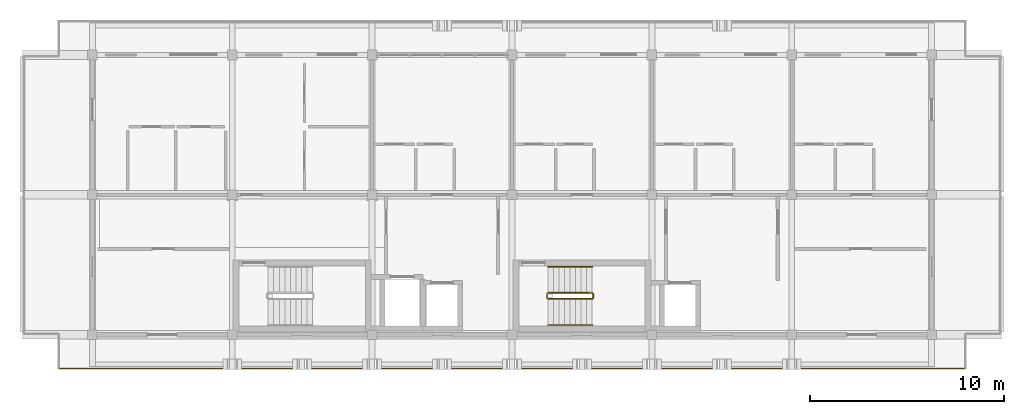
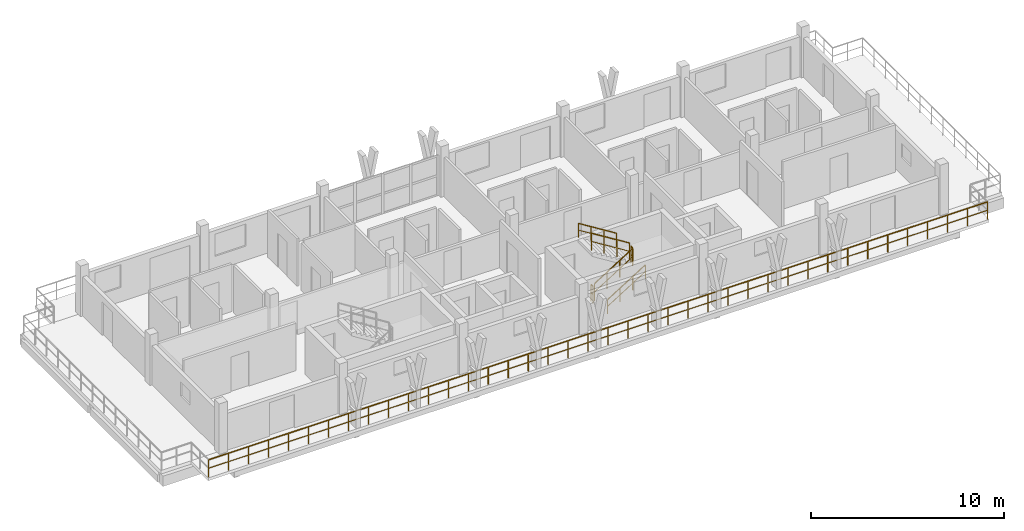
# One storey, part 8 of 9: 7 railings.
"""IFC4 building model written with IfcOpenShell, lengths in metres."""

import ifcopenshell
import ifcopenshell.guid

model = None  # the IFC model being written
_history = None  # IfcOwnerHistory: only IFC2X3 demands one
_inside = {}  # id of a spatial element -> (the spatial element, [elements in it])
_under = {}  # id of a project, library or spatial element -> (it, [spatial elements below it])
_declared = {}  # id of a project -> (the project, [libraries it declares])
_typed = {}  # id of a type object -> (the type object, [elements of that type])
_made_of = {}  # id of a material, layer set ... -> (it, [elements and type objects made of it])


def new_model(schema):
    """Start an empty IFC model of exactly this schema.

    Asked for "IFC4X3", IfcOpenShell would pick the latest addendum, in which some entities
    have other attributes; the version numbers below select the first issue.
    IFC2X3 requires an IfcOwnerHistory on every rooted entity: one is made here for all.
    """
    global model, _history
    if schema == "IFC4X3":
        model = ifcopenshell.file(schema_version=(4, 3, 0, 0))
    else:
        model = ifcopenshell.file(schema=schema)
    _inside.clear()
    _under.clear()
    _declared.clear()
    _typed.clear()
    _made_of.clear()
    _history = None
    if model.schema == "IFC2X3":
        org = make("IfcOrganization", Name="unknown")
        user = make(
            "IfcPersonAndOrganization",
            ThePerson=make("IfcPerson", FamilyName="unknown"),
            TheOrganization=org,
        )
        app = make(
            "IfcApplication",
            ApplicationDeveloper=org,
            Version="unknown",
            ApplicationFullName="unknown",
            ApplicationIdentifier="unknown",
        )
        _history = make(
            "IfcOwnerHistory",
            OwningUser=user,
            OwningApplication=app,
            ChangeAction="ADDED",
            CreationDate=0,
        )
    return model


def make(cls, **values):
    """One entity of the class cls with the attributes given. An attribute that is None is left unset."""
    return model.create_entity(
        cls, **{name: value for name, value in values.items() if value is not None}
    )


def rooted(cls, **values):
    """An entity with a GlobalId (a new one), such as an element, a storey or a relation."""
    return make(cls, GlobalId=ifcopenshell.guid.new(), OwnerHistory=_history, **values)


def si_unit(unit_type, name, prefix=None):
    """IfcSIUnit, for example si_unit("LENGTHUNIT", "METRE", prefix="MILLI")."""
    return make("IfcSIUnit", UnitType=unit_type, Prefix=prefix, Name=name)


def assignment(units):
    """IfcUnitAssignment: the units of a project."""
    return None if units is None else make("IfcUnitAssignment", Units=units)


def point(xyz):
    """IfcCartesianPoint."""
    return None if xyz is None else make("IfcCartesianPoint", Coordinates=xyz)


def direction(xyz):
    """IfcDirection."""
    return None if xyz is None else make("IfcDirection", DirectionRatios=xyz)


def frame(location, z_axis=None, x_axis=None):
    """IfcAxis2Placement3D, a coordinate frame: its origin and axes. An axis left out is left unset."""
    return make(
        "IfcAxis2Placement3D",
        Location=point(location),
        Axis=direction(z_axis),
        RefDirection=direction(x_axis),
    )


def frame_2d(location, x_axis=None):
    """IfcAxis2Placement2D, a coordinate frame in the plane: its origin and x axis."""
    return make(
        "IfcAxis2Placement2D", Location=point(location), RefDirection=direction(x_axis)
    )


def origin():
    """The frame at (0, 0, 0) with its axes left unset."""
    return frame((0.0, 0.0, 0.0))


def origin_2d():
    """The frame at (0, 0) in the plane with its x axis left unset."""
    return frame_2d((0.0, 0.0))


def place(relative_to, where):
    """IfcLocalPlacement: puts the frame where relative to a parent placement (None: the world)."""
    return make(
        "IfcLocalPlacement", PlacementRelTo=relative_to, RelativePlacement=where
    )


def context(
    kind, dimensions, precision=None, world=None, true_north=None, identifier=None
):
    """IfcGeometricRepresentationContext, for example the 3D "Model" context."""
    return make(
        "IfcGeometricRepresentationContext",
        ContextIdentifier=identifier,
        ContextType=kind,
        CoordinateSpaceDimension=dimensions,
        Precision=precision,
        WorldCoordinateSystem=world,
        TrueNorth=true_north,
    )


def subcontext(parent, identifier, kind, view, scale=None):
    """IfcGeometricRepresentationSubContext, for example "Body" below "Model"."""
    return make(
        "IfcGeometricRepresentationSubContext",
        ContextIdentifier=identifier,
        ContextType=kind,
        ParentContext=parent,
        TargetScale=scale,
        TargetView=view,
    )


def project(units=None, contexts=None):
    """IfcProject with its units and contexts."""
    return rooted(
        "IfcProject",
        Name="project",
        RepresentationContexts=contexts,
        UnitsInContext=assignment(units),
    )


def spatial(cls, under=None, at=None, **own):
    """A site, building, storey or space (cls), placed at a placement, below another one or the project."""
    s = rooted(cls, ObjectPlacement=at, **own)
    if under is not None:
        _under.setdefault(under.id(), (under, []))[1].append(s)
    return s


def profile(cls, at=None, kind="AREA", **sizes):
    """A parametric profile (cls). Its sizes go by their IFC names, for example OverallWidth=200.0."""
    return make(cls, ProfileType=kind, Position=at, **sizes)


def rectangle(**sizes):
    """IfcRectangleProfileDef."""
    return profile("IfcRectangleProfileDef", **sizes)


def extrude(swept, where, along, depth):
    """IfcExtrudedAreaSolid: the profile swept, set in the frame where, extruded along a direction by depth."""
    return make(
        "IfcExtrudedAreaSolid",
        SweptArea=swept,
        Position=where,
        ExtrudedDirection=direction(along),
        Depth=depth,
    )


def shape(context_of_items, identifier, shape_type, items):
    """IfcShapeRepresentation: the items that make up one representation, for example the "Body"."""
    return make(
        "IfcShapeRepresentation",
        ContextOfItems=context_of_items,
        RepresentationIdentifier=identifier,
        RepresentationType=shape_type,
        Items=items,
    )


def material(Name=None, Category=None):
    """IfcMaterial."""
    return make("IfcMaterial", Name=Name, Category=Category)


def made_of(thing, what):
    """Note that an element or type object is made of a material, layer set ...; save() writes the relation."""
    if what is not None:
        _made_of.setdefault(what.id(), (what, []))[1].append(thing)
    return thing


def type_object(cls, material=None, **own):
    """A type object (cls), such as IfcWallType, which elements share."""
    return made_of(rooted(cls, **own), material)


def element(
    cls,
    number,
    at=None,
    inside=None,
    cuts=None,
    type_object=None,
    material=None,
    context=None,
    identifier="Body",
    shape_type=None,
    held_by="IfcProductDefinitionShape",
    body=None,
    shapes=None,
    **own,
):
    """One element of the class cls, such as IfcWall. Its Tag is "e" and its number.

    at: its placement. inside: the storey or other place that contains it. cuts: it is an
    opening in that element (IfcRelVoidsElement). A single representation is given by context,
    identifier, shape_type and body (its items); several are given by shapes. held_by: the class
    of the entity that holds the representations. save() writes the other relations.
    """
    e = rooted(cls, Tag="e%d" % number, ObjectPlacement=at, **own)
    if body is not None:
        shapes = [shape(context, identifier, shape_type, body)]
    if shapes is not None:
        e.Representation = make(held_by, Representations=shapes)
    if inside is not None:
        _inside.setdefault(inside.id(), (inside, []))[1].append(e)
    if cuts is not None:
        rooted(
            "IfcRelVoidsElement", RelatingBuildingElement=cuts, RelatedOpeningElement=e
        )
    if type_object is not None:
        _typed.setdefault(type_object.id(), (type_object, []))[1].append(e)
    return made_of(e, material)


def aggregate(whole, parts):
    """IfcRelAggregates: a whole, such as a stair, and the parts it consists of."""
    return rooted("IfcRelAggregates", RelatingObject=whole, RelatedObjects=parts)


def save(model, path):
    """Write the relations noted so far, then the file.

    IfcRelAggregates (storeys below a building ...), IfcRelContainedInSpatialStructure (elements
    in a storey), IfcRelDefinesByType, IfcRelAssociatesMaterial and IfcRelDeclares: one each for
    every whole, place, type object, material and project.
    """
    for whole, parts in _under.values():
        aggregate(whole, parts)
    for where, things in _inside.values():
        rooted(
            "IfcRelContainedInSpatialStructure",
            RelatedElements=things,
            RelatingStructure=where,
        )
    for kind, things in _typed.values():
        rooted("IfcRelDefinesByType", RelatedObjects=things, RelatingType=kind)
    for what, things in _made_of.values():
        rooted("IfcRelAssociatesMaterial", RelatedObjects=things, RelatingMaterial=what)
    for by, libraries in _declared.values():
        rooted("IfcRelDeclares", RelatingContext=by, RelatedDefinitions=libraries)
    model.write(path)


model = new_model("IFC4")

# Units and contexts
model_context = context("Model", 3, precision=1e-05, world=origin(), true_north=direction((0.0, 1.0)))
body_context = subcontext(model_context, "Body", "Model", "MODEL_VIEW")
ifc_project = project(units=[si_unit("LENGTHUNIT", "METRE"), si_unit("AREAUNIT", "SQUARE_METRE"), si_unit("VOLUMEUNIT", "CUBIC_METRE"), si_unit("PLANEANGLEUNIT", "RADIAN"), si_unit("MASSUNIT", "GRAM", prefix="KILO")], contexts=[model_context])

# Site, building, storey
site_placement = place(None, origin())
site = spatial("IfcSite", under=ifc_project, at=site_placement, CompositionType="ELEMENT")
building_placement = place(site_placement, origin())
building = spatial("IfcBuilding", under=site, at=building_placement, Name="Suanplinth Sawtooth Commons", CompositionType="ELEMENT")
storey_placement = place(building_placement, frame((0.0, 0.0, 47.699951171875)))
storey = spatial("IfcBuildingStorey", under=building, at=storey_placement, Name="L14", CompositionType="ELEMENT", Elevation=47.699951171875)

# Railings
ifc_material_1 = material(Name="Powder-coated galvanized steel", Category="steel")
railing_type_1 = type_object("IfcRailingType", Name="GR-01", PredefinedType="BALUSTRADE", material=ifc_material_1)
railing_1_placement = place(storey_placement, frame((80.93994140625, 106.260009765625, 0.0)))
element("IfcRailing", 1, at=railing_1_placement, inside=storey, type_object=railing_type_1, Name="L14 Block A Perimeter Balustrade 11", PredefinedType="BALUSTRADE", context=body_context, shape_type="SweptSolid", body=[
    extrude(rectangle(XDim=0.048095703125, YDim=0.048095703125, at=origin_2d()), frame((0.0, 0.0, 1.09619140625), z_axis=(-1.0, 0.0, 0.0), x_axis=(0.0, -1.0, 0.0)), (0.0, 0.0, 1.0), 46.679931640625),
    extrude(rectangle(XDim=0.03369140625, YDim=0.03369140625, at=origin_2d()), frame((0.0, 0.0, 0.56005859375), z_axis=(-1.0, 0.0, 0.0), x_axis=(0.0, -1.0, 0.0)), (0.0, 0.0, 1.0), 46.679931640625),
    extrude(rectangle(XDim=0.0419921875, YDim=0.0419921875, at=origin_2d()), origin(), (0.0, 0.0, 1.0), 1.072021484375),
    extrude(rectangle(XDim=0.0419921875, YDim=0.0419921875, at=origin_2d()), frame((-1.197021484375, 0.0, 0.0)), (0.0, 0.0, 1.0), 1.072021484375),
    extrude(rectangle(XDim=0.0419921875, YDim=0.0419921875, at=origin_2d()), frame((-2.393798828125, 0.0, 0.0)), (0.0, 0.0, 1.0), 1.072021484375),
    extrude(rectangle(XDim=0.0419921875, YDim=0.0419921875, at=origin_2d()), frame((-3.5908203125, 0.0, 0.0)), (0.0, 0.0, 1.0), 1.072021484375),
    extrude(rectangle(XDim=0.0419921875, YDim=0.0419921875, at=origin_2d()), frame((-4.78759765625, 0.0, 0.0)), (0.0, 0.0, 1.0), 1.072021484375),
    extrude(rectangle(XDim=0.0419921875, YDim=0.0419921875, at=origin_2d()), frame((-5.984619140625, 0.0, 0.0)), (0.0, 0.0, 1.0), 1.072021484375),
    extrude(rectangle(XDim=0.0419921875, YDim=0.0419921875, at=origin_2d()), frame((-7.181640625, 0.0, 0.0)), (0.0, 0.0, 1.0), 1.072021484375),
    extrude(rectangle(XDim=0.0419921875, YDim=0.0419921875, at=origin_2d()), frame((-8.37841796875, 0.0, 0.0)), (0.0, 0.0, 1.0), 1.072021484375),
    extrude(rectangle(XDim=0.0419921875, YDim=0.0419921875, at=origin_2d()), frame((-9.575439453125, 0.0, 0.0)), (0.0, 0.0, 1.0), 1.072021484375),
    extrude(rectangle(XDim=0.0419921875, YDim=0.0419921875, at=origin_2d()), frame((-10.772216796875, 0.0, 0.0)), (0.0, 0.0, 1.0), 1.072021484375),
    extrude(rectangle(XDim=0.0419921875, YDim=0.0419921875, at=origin_2d()), frame((-11.96923828125, 0.0, 0.0)), (0.0, 0.0, 1.0), 1.072021484375),
    extrude(rectangle(XDim=0.0419921875, YDim=0.0419921875, at=origin_2d()), frame((-13.166015625, 0.0, 0.0)), (0.0, 0.0, 1.0), 1.072021484375),
    extrude(rectangle(XDim=0.0419921875, YDim=0.0419921875, at=origin_2d()), frame((-14.363037109375, 0.0, 0.0)), (0.0, 0.0, 1.0), 1.072021484375),
    extrude(rectangle(XDim=0.0419921875, YDim=0.0419921875, at=origin_2d()), frame((-15.56005859375, 0.0, 0.0)), (0.0, 0.0, 1.0), 1.072021484375),
    extrude(rectangle(XDim=0.0419921875, YDim=0.0419921875, at=origin_2d()), frame((-16.7568359375, 0.0, 0.0)), (0.0, 0.0, 1.0), 1.072021484375),
    extrude(rectangle(XDim=0.0419921875, YDim=0.0419921875, at=origin_2d()), frame((-17.953857421875, 0.0, 0.0)), (0.0, 0.0, 1.0), 1.072021484375),
    extrude(rectangle(XDim=0.0419921875, YDim=0.0419921875, at=origin_2d()), frame((-19.150634765625, 0.0, 0.0)), (0.0, 0.0, 1.0), 1.072021484375),
    extrude(rectangle(XDim=0.0419921875, YDim=0.0419921875, at=origin_2d()), frame((-20.34765625, 0.0, 0.0)), (0.0, 0.0, 1.0), 1.072021484375),
    extrude(rectangle(XDim=0.0419921875, YDim=0.0419921875, at=origin_2d()), frame((-21.544677734375, 0.0, 0.0)), (0.0, 0.0, 1.0), 1.072021484375),
    extrude(rectangle(XDim=0.0419921875, YDim=0.0419921875, at=origin_2d()), frame((-22.741455078125, 0.0, 0.0)), (0.0, 0.0, 1.0), 1.072021484375),
    extrude(rectangle(XDim=0.0419921875, YDim=0.0419921875, at=origin_2d()), frame((-23.9384765625, 0.0, 0.0)), (0.0, 0.0, 1.0), 1.072021484375),
    extrude(rectangle(XDim=0.0419921875, YDim=0.0419921875, at=origin_2d()), frame((-25.13525390625, 0.0, 0.0)), (0.0, 0.0, 1.0), 1.072021484375),
    extrude(rectangle(XDim=0.0419921875, YDim=0.0419921875, at=origin_2d()), frame((-26.332275390625, 0.0, 0.0)), (0.0, 0.0, 1.0), 1.072021484375),
    extrude(rectangle(XDim=0.0419921875, YDim=0.0419921875, at=origin_2d()), frame((-27.529296875, 0.0, 0.0)), (0.0, 0.0, 1.0), 1.072021484375),
    extrude(rectangle(XDim=0.0419921875, YDim=0.0419921875, at=origin_2d()), frame((-28.72607421875, 0.0, 0.0)), (0.0, 0.0, 1.0), 1.072021484375),
    extrude(rectangle(XDim=0.0419921875, YDim=0.0419921875, at=origin_2d()), frame((-29.923095703125, 0.0, 0.0)), (0.0, 0.0, 1.0), 1.072021484375),
    extrude(rectangle(XDim=0.0419921875, YDim=0.0419921875, at=origin_2d()), frame((-31.119873046875, 0.0, 0.0)), (0.0, 0.0, 1.0), 1.072021484375),
    extrude(rectangle(XDim=0.0419921875, YDim=0.0419921875, at=origin_2d()), frame((-32.31689453125, 0.0, 0.0)), (0.0, 0.0, 1.0), 1.072021484375),
    extrude(rectangle(XDim=0.0419921875, YDim=0.0419921875, at=origin_2d()), frame((-33.513916015625, 0.0, 0.0)), (0.0, 0.0, 1.0), 1.072021484375),
    extrude(rectangle(XDim=0.0419921875, YDim=0.0419921875, at=origin_2d()), frame((-34.710693359375, 0.0, 0.0)), (0.0, 0.0, 1.0), 1.072021484375),
    extrude(rectangle(XDim=0.0419921875, YDim=0.0419921875, at=origin_2d()), frame((-35.90771484375, 0.0, 0.0)), (0.0, 0.0, 1.0), 1.072021484375),
    extrude(rectangle(XDim=0.0419921875, YDim=0.0419921875, at=origin_2d()), frame((-37.1044921875, 0.0, 0.0)), (0.0, 0.0, 1.0), 1.072021484375),
    extrude(rectangle(XDim=0.0419921875, YDim=0.0419921875, at=origin_2d()), frame((-38.301513671875, 0.0, 0.0)), (0.0, 0.0, 1.0), 1.072021484375),
    extrude(rectangle(XDim=0.0419921875, YDim=0.0419921875, at=origin_2d()), frame((-39.498291015625, 0.0, 0.0)), (0.0, 0.0, 1.0), 1.072021484375),
    extrude(rectangle(XDim=0.0419921875, YDim=0.0419921875, at=origin_2d()), frame((-40.6953125, 0.0, 0.0)), (0.0, 0.0, 1.0), 1.072021484375),
    extrude(rectangle(XDim=0.0419921875, YDim=0.0419921875, at=origin_2d()), frame((-41.892333984375, 0.0, 0.0)), (0.0, 0.0, 1.0), 1.072021484375),
    extrude(rectangle(XDim=0.0419921875, YDim=0.0419921875, at=origin_2d()), frame((-43.089111328125, 0.0, 0.0)), (0.0, 0.0, 1.0), 1.072021484375),
    extrude(rectangle(XDim=0.0419921875, YDim=0.0419921875, at=origin_2d()), frame((-44.2861328125, 0.0, 0.0)), (0.0, 0.0, 1.0), 1.072021484375),
    extrude(rectangle(XDim=0.0419921875, YDim=0.0419921875, at=origin_2d()), frame((-45.48291015625, 0.0, 0.0)), (0.0, 0.0, 1.0), 1.072021484375),
    extrude(rectangle(XDim=0.0419921875, YDim=0.0419921875, at=origin_2d()), frame((-46.679931640625, 0.0, 0.0)), (0.0, 0.0, 1.0), 1.072021484375),
])
ifc_material_2 = material(Name="Stainless steel Grade 304", Category="steel")
railing_type_2 = type_object("IfcRailingType", Name="GR-04", PredefinedType="GUARDRAIL", material=ifc_material_2)
railing_2_placement = place(storey_placement, frame((59.449951171875, 109.85009765625, 0.177734375)))
element("IfcRailing", 2, at=railing_2_placement, inside=storey, type_object=railing_type_2, Name="L14 ST-N2 Guard 1", PredefinedType="GUARDRAIL", context=body_context, shape_type="SweptSolid", body=[
    extrude(rectangle(XDim=0.048095703125, YDim=0.048095703125, at=origin_2d()), frame((0.0, 0.0, 1.076171875), z_axis=(0.848442045328, 0.0, 0.529288291689), x_axis=(0.0, 1.0, 0.0)), (0.0, 0.0, 1.0), 2.687255859375),
    extrude(rectangle(XDim=0.03369140625, YDim=0.03369140625, at=origin_2d()), frame((0.0, 0.0, 0.550048828125), z_axis=(0.848442045328, 0.0, 0.529288291689), x_axis=(0.0, 1.0, 0.0)), (0.0, 0.0, 1.0), 2.687255859375),
    extrude(rectangle(XDim=0.0419921875, YDim=0.0419921875, at=origin_2d()), origin(), (0.0, 0.0, 1.0), 1.052001953125),
    extrude(rectangle(XDim=0.0419921875, YDim=0.0419921875, at=origin_2d()), frame((0.760009765625, 0.0, 0.47412109375)), (0.0, 0.0, 1.0), 1.052001953125),
    extrude(rectangle(XDim=0.0419921875, YDim=0.0419921875, at=origin_2d()), frame((1.52001953125, 0.0, 0.9482421875)), (0.0, 0.0, 1.0), 1.052001953125),
    extrude(rectangle(XDim=0.0419921875, YDim=0.0419921875, at=origin_2d()), frame((2.280029296875, 0.0, 1.42236328125)), (0.0, 0.0, 1.0), 1.052001953125),
])
railing_3_placement = place(storey_placement, frame((61.780029296875, 109.89990234375, 1.60009765625)))
element("IfcRailing", 3, at=railing_3_placement, inside=storey, type_object=railing_type_2, Name="L14 ST-N2 Guard 2", PredefinedType="GUARDRAIL", context=body_context, shape_type="SweptSolid", body=[
    extrude(rectangle(XDim=0.048095703125, YDim=0.048095703125, at=origin_2d()), frame((0.0, 0.0, 1.076171875), z_axis=(0.0, 1.0, 0.0), x_axis=(-1.0, 0.0, 0.0)), (0.0, 0.0, 1.0), 0.2001953125),
    extrude(rectangle(XDim=0.03369140625, YDim=0.03369140625, at=origin_2d()), frame((0.0, 0.0, 0.550048828125), z_axis=(0.0, 1.0, 0.0), x_axis=(-1.0, 0.0, 0.0)), (0.0, 0.0, 1.0), 0.2001953125),
    extrude(rectangle(XDim=0.0419921875, YDim=0.0419921875, at=origin_2d()), origin(), (0.0, 0.0, 1.0), 1.052001953125),
    extrude(rectangle(XDim=0.0419921875, YDim=0.0419921875, at=origin_2d()), frame((0.0, 0.2001953125, 0.0)), (0.0, 0.0, 1.0), 1.052001953125),
])
railing_4_placement = place(storey_placement, frame((61.72998046875, 110.14990234375, 1.77783203125)))
element("IfcRailing", 4, at=railing_4_placement, inside=storey, type_object=railing_type_2, Name="L14 ST-N2 Guard 3", PredefinedType="GUARDRAIL", context=body_context, shape_type="SweptSolid", body=[
    extrude(rectangle(XDim=0.048095703125, YDim=0.048095703125, at=origin_2d()), frame((0.0, 0.0, 1.076171875), z_axis=(-0.848482842525, 0.0, 0.529222888715), x_axis=(0.0, -1.0, 0.0)), (0.0, 0.0, 1.0), 2.687255859375),
    extrude(rectangle(XDim=0.03369140625, YDim=0.03369140625, at=origin_2d()), frame((0.0, 0.0, 0.550048828125), z_axis=(-0.848482842525, 0.0, 0.529222888715), x_axis=(0.0, -1.0, 0.0)), (0.0, 0.0, 1.0), 2.687255859375),
    extrude(rectangle(XDim=0.0419921875, YDim=0.0419921875, at=origin_2d()), origin(), (0.0, 0.0, 1.0), 1.052001953125),
    extrude(rectangle(XDim=0.0419921875, YDim=0.0419921875, at=origin_2d()), frame((-0.760009765625, 0.0, 0.47412109375)), (0.0, 0.0, 1.0), 1.052001953125),
    extrude(rectangle(XDim=0.0419921875, YDim=0.0419921875, at=origin_2d()), frame((-1.52001953125, 0.0, 0.947998046875)), (0.0, 0.0, 1.0), 1.052001953125),
    extrude(rectangle(XDim=0.0419921875, YDim=0.0419921875, at=origin_2d()), frame((-2.280029296875, 0.0, 1.422119140625)), (0.0, 0.0, 1.0), 1.052001953125),
])
railing_5_placement = place(storey_placement, frame((59.39990234375, 109.89990234375, 0.0)))
element("IfcRailing", 5, at=railing_5_placement, inside=storey, type_object=railing_type_2, Name="L14 ST-N2 Guard 4", PredefinedType="GUARDRAIL", context=body_context, shape_type="SweptSolid", body=[
    extrude(rectangle(XDim=0.048095703125, YDim=0.048095703125, at=origin_2d()), frame((0.0, 0.0, 1.076171875), z_axis=(0.0, 1.0, 0.0), x_axis=(-1.0, 0.0, 0.0)), (0.0, 0.0, 1.0), 0.2001953125),
    extrude(rectangle(XDim=0.03369140625, YDim=0.03369140625, at=origin_2d()), frame((0.0, 0.0, 0.550048828125), z_axis=(0.0, 1.0, 0.0), x_axis=(-1.0, 0.0, 0.0)), (0.0, 0.0, 1.0), 0.2001953125),
    extrude(rectangle(XDim=0.0419921875, YDim=0.0419921875, at=origin_2d()), origin(), (0.0, 0.0, 1.0), 1.052001953125),
    extrude(rectangle(XDim=0.0419921875, YDim=0.0419921875, at=origin_2d()), frame((0.0, 0.2001953125, 0.0)), (0.0, 0.0, 1.0), 1.052001953125),
])
railing_type_3 = type_object("IfcRailingType", Name="HR-01", PredefinedType="HANDRAIL", material=ifc_material_2)
railing_6_placement = place(storey_placement, frame((59.449951171875, 108.5, 0.177734375)))
element("IfcRailing", 6, at=railing_6_placement, inside=storey, type_object=railing_type_3, Name="L14 ST-N2 Handrail 1", PredefinedType="HANDRAIL", context=body_context, shape_type="SweptSolid", body=[
    extrude(rectangle(XDim=0.048095703125, YDim=0.048095703125, at=origin_2d()), frame((0.0, 0.0, 0.8759765625), z_axis=(0.848442045328, 0.0, 0.529288291689), x_axis=(0.0, 1.0, 0.0)), (0.0, 0.0, 1.0), 2.687255859375),
    extrude(rectangle(XDim=0.03369140625, YDim=0.03369140625, at=origin_2d()), frame((0.0, 0.0, 0.449951171875), z_axis=(0.848442045328, 0.0, 0.529288291689), x_axis=(0.0, 1.0, 0.0)), (0.0, 0.0, 1.0), 2.687255859375),
    extrude(rectangle(XDim=0.0419921875, YDim=0.0419921875, at=origin_2d()), origin(), (0.0, 0.0, 1.0), 0.851806640625),
    extrude(rectangle(XDim=0.0419921875, YDim=0.0419921875, at=origin_2d()), frame((0.760009765625, 0.0, 0.47412109375)), (0.0, 0.0, 1.0), 0.851806640625),
    extrude(rectangle(XDim=0.0419921875, YDim=0.0419921875, at=origin_2d()), frame((1.52001953125, 0.0, 0.9482421875)), (0.0, 0.0, 1.0), 0.851806640625),
    extrude(rectangle(XDim=0.0419921875, YDim=0.0419921875, at=origin_2d()), frame((2.280029296875, 0.0, 1.42236328125)), (0.0, 0.0, 1.0), 0.851806640625),
])
railing_7_placement = place(storey_placement, frame((61.72998046875, 111.5, 1.77783203125)))
element("IfcRailing", 7, at=railing_7_placement, inside=storey, type_object=railing_type_3, Name="L14 ST-N2 Handrail 2", PredefinedType="HANDRAIL", context=body_context, shape_type="SweptSolid", body=[
    extrude(rectangle(XDim=0.048095703125, YDim=0.048095703125, at=origin_2d()), frame((0.0, 0.0, 0.8759765625), z_axis=(-0.848482842525, 0.0, 0.529222888715), x_axis=(0.0, -1.0, 0.0)), (0.0, 0.0, 1.0), 2.687255859375),
    extrude(rectangle(XDim=0.03369140625, YDim=0.03369140625, at=origin_2d()), frame((0.0, 0.0, 0.449951171875), z_axis=(-0.848482842525, 0.0, 0.529222888715), x_axis=(0.0, -1.0, 0.0)), (0.0, 0.0, 1.0), 2.687255859375),
    extrude(rectangle(XDim=0.0419921875, YDim=0.0419921875, at=origin_2d()), origin(), (0.0, 0.0, 1.0), 0.851806640625),
    extrude(rectangle(XDim=0.0419921875, YDim=0.0419921875, at=origin_2d()), frame((-0.760009765625, 0.0, 0.47412109375)), (0.0, 0.0, 1.0), 0.851806640625),
    extrude(rectangle(XDim=0.0419921875, YDim=0.0419921875, at=origin_2d()), frame((-1.52001953125, 0.0, 0.947998046875)), (0.0, 0.0, 1.0), 0.851806640625),
    extrude(rectangle(XDim=0.0419921875, YDim=0.0419921875, at=origin_2d()), frame((-2.280029296875, 0.0, 1.422119140625)), (0.0, 0.0, 1.0), 0.851806640625),
])

save(model, "model.ifc")
